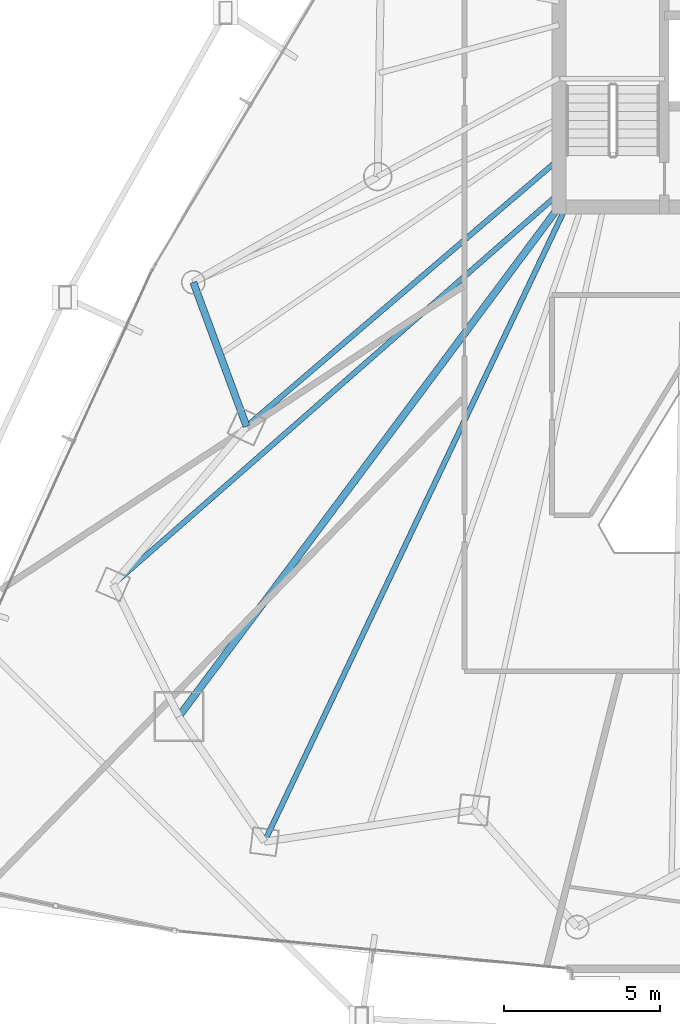
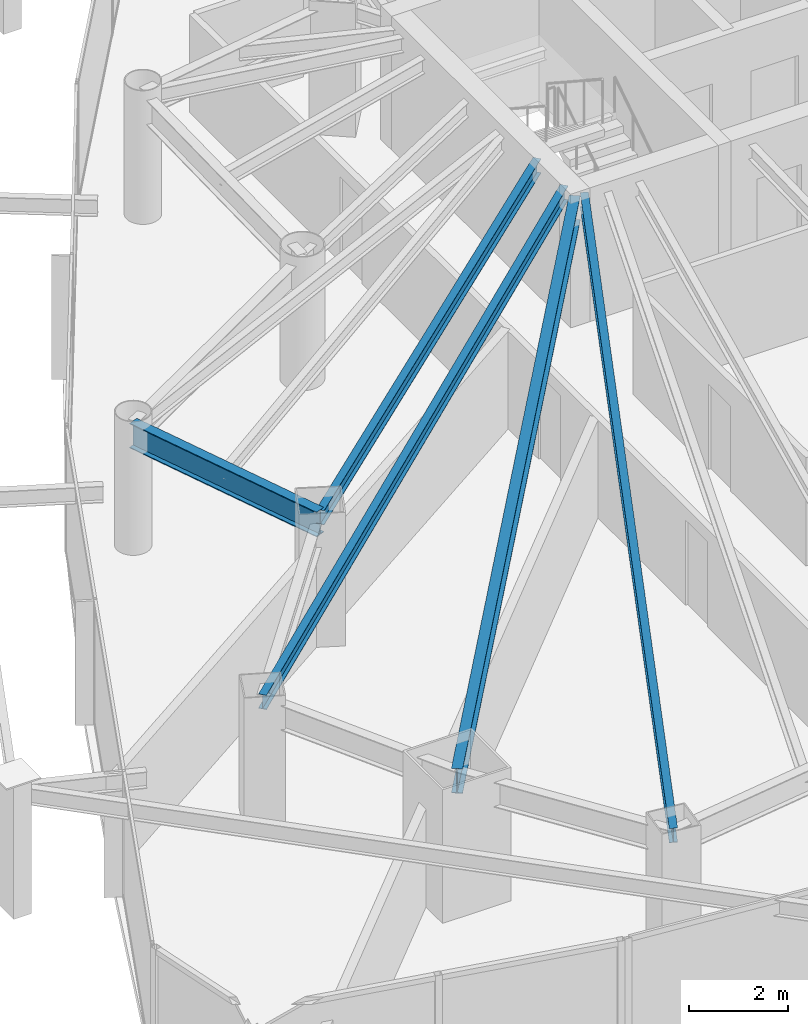
# One storey, part 9 of 33: 5 beams.
"""IFC4 building model written with IfcOpenShell, lengths in metres."""

from ifc_helpers import new_model, si_unit, direction, frame, origin, origin_2d, place, context, subcontext, project, spatial, i_section, extrude, material, material_profile, profile_set, type_object, element, save


model = new_model("IFC4")

# Units and contexts
model_context = context("Model", 3, precision=1e-05, world=origin(), true_north=direction((0.0, 1.0)))
body_context = subcontext(model_context, "Body", "Model", "MODEL_VIEW")
ifc_project = project(units=[si_unit("LENGTHUNIT", "METRE"), si_unit("AREAUNIT", "SQUARE_METRE"), si_unit("VOLUMEUNIT", "CUBIC_METRE"), si_unit("PLANEANGLEUNIT", "RADIAN"), si_unit("MASSUNIT", "GRAM", prefix="KILO")], contexts=[model_context])

# Site, building, storey
site_placement = place(None, origin())
site = spatial("IfcSite", under=ifc_project, at=site_placement, CompositionType="ELEMENT")
building_placement = place(site_placement, origin())
building = spatial("IfcBuilding", under=site, at=building_placement, Name="Orvanel Arch Residences", CompositionType="ELEMENT")
storey_placement = place(building_placement, frame((0.0, 0.0, 87.35009765625)))
storey = spatial("IfcBuildingStorey", under=building, at=storey_placement, Name="L24", CompositionType="ELEMENT", Elevation=87.35009765625)

# Beams
ifc_material = material(Name="Structural steel AS/NZS 3679.1 Grade 300 (300 MPa)", Category="steel")
ifc_material_profile_1 = material_profile(ifc_material, i_section(OverallWidth=0.22900390625, OverallDepth=0.612060546875, WebThickness=0.011962890625, FlangeThickness=0.01953125, at=origin_2d()), Name="610UB125")
ifc_profile_set_1 = profile_set([ifc_material_profile_1], Name="Structural steel AS/NZS 3679.1 Grade 300 (300 MPa)")
beam_type_1 = type_object("IfcBeamType", Name="BG-610UB", PredefinedType="BEAM", material=ifc_profile_set_1)
beam_1_placement = place(storey_placement, frame((26.375, 26.675048828125, 2.75390625), z_axis=(-0.597893733742, -0.801575375839, 0.0), x_axis=(0.801575375839, -0.597893733742, 0.0)))
element("IfcBeam", 1, at=beam_1_placement, inside=storey, type_object=beam_type_1, Name="L24 South-West Radial Girder", PredefinedType="BEAM", context=body_context, shape_type="SweptSolid", body=[
    extrude(i_section(OverallWidth=0.22900390625, OverallDepth=0.612060546875, WebThickness=0.011962890625, FlangeThickness=0.01953125, at=origin_2d()), origin(), (0.0, 0.0, 1.0), 20.36474609375),
])
ifc_material_profile_2 = material_profile(ifc_material, i_section(OverallWidth=0.1708984375, OverallDepth=0.35595703125, WebThickness=0.00732421875, FlangeThickness=0.011474609375, at=origin_2d()), Name="360UB50.7")
ifc_profile_set_2 = profile_set([ifc_material_profile_2], Name="Structural steel AS/NZS 3679.1 Grade 300 (300 MPa)")
beam_type_2 = type_object("IfcBeamType", Name="BJ-360UB", PredefinedType="JOIST", material=ifc_profile_set_2)
beam_2_placement = place(storey_placement, frame((26.375, 28.199951171875, 2.8818359375), z_axis=(-0.760024297953, -0.649894658018, 0.0), x_axis=(0.649894658018, -0.760024297953, 0.0)))
element("IfcBeam", 2, at=beam_2_placement, inside=storey, type_object=beam_type_2, Name="L24 W Wing Floor Joist", PredefinedType="JOIST", context=body_context, shape_type="SweptSolid", body=[
    extrude(i_section(OverallWidth=0.1708984375, OverallDepth=0.35595703125, WebThickness=0.00732421875, FlangeThickness=0.011474609375, at=origin_2d()), origin(), (0.0, 0.0, 1.0), 13.16796875),
])
beam_3_placement = place(storey_placement, frame((26.375, 27.10009765625, 2.8818359375), z_axis=(-0.751924114057, -0.659249669472, 0.0), x_axis=(0.659249669472, -0.751924114057, 0.0)))
element("IfcBeam", 3, at=beam_3_placement, inside=storey, type_object=beam_type_2, Name="L24 MW Wing Floor Joist", PredefinedType="JOIST", context=body_context, shape_type="SweptSolid", body=[
    extrude(i_section(OverallWidth=0.1708984375, OverallDepth=0.35595703125, WebThickness=0.00732421875, FlangeThickness=0.011474609375, at=origin_2d()), origin(), (0.0, 0.0, 1.0), 18.9912109375),
])
beam_4_placement = place(storey_placement, frame((26.60009765625, 26.675048828125, 2.8818359375), z_axis=(-0.429042657795, -0.903284228686, 0.0), x_axis=(0.903284228686, -0.429042657795, 0.0)))
element("IfcBeam", 4, at=beam_4_placement, inside=storey, type_object=beam_type_2, Name="L24 MSW Wing Floor Joist", PredefinedType="JOIST", context=body_context, shape_type="SweptSolid", body=[
    extrude(i_section(OverallWidth=0.1708984375, OverallDepth=0.35595703125, WebThickness=0.00732421875, FlangeThickness=0.011474609375, at=origin_2d()), origin(), (0.0, 0.0, 1.0), 22.513427734375),
])
ifc_material_profile_3 = material_profile(ifc_material, i_section(OverallWidth=0.22900390625, OverallDepth=0.612060546875, WebThickness=0.011962890625, FlangeThickness=0.01953125, at=origin_2d()), Name="610UB125")
ifc_profile_set_3 = profile_set([ifc_material_profile_3], Name="Structural steel AS/NZS 3679.1 Grade 300 (300 MPa)")
beam_type_3 = type_object("IfcBeamType", Name="SP-610UB", PredefinedType="SPANDREL", material=ifc_profile_set_3)
beam_5_placement = place(storey_placement, frame((14.662109375, 24.256103515625, 2.75390625), z_axis=(0.346588434017, -0.938017301229, 0.0), x_axis=(0.938017301229, 0.346588434017, 0.0)))
element("IfcBeam", 5, at=beam_5_placement, inside=storey, type_object=beam_type_3, Name="L24 Perimeter Spandrel Beam 22", PredefinedType="SPANDREL", context=body_context, shape_type="SweptSolid", body=[
    extrude(i_section(OverallWidth=0.22900390625, OverallDepth=0.612060546875, WebThickness=0.011962890625, FlangeThickness=0.01953125, at=origin_2d()), origin(), (0.0, 0.0, 1.0), 4.9189453125),
])

save(model, "model.ifc")
